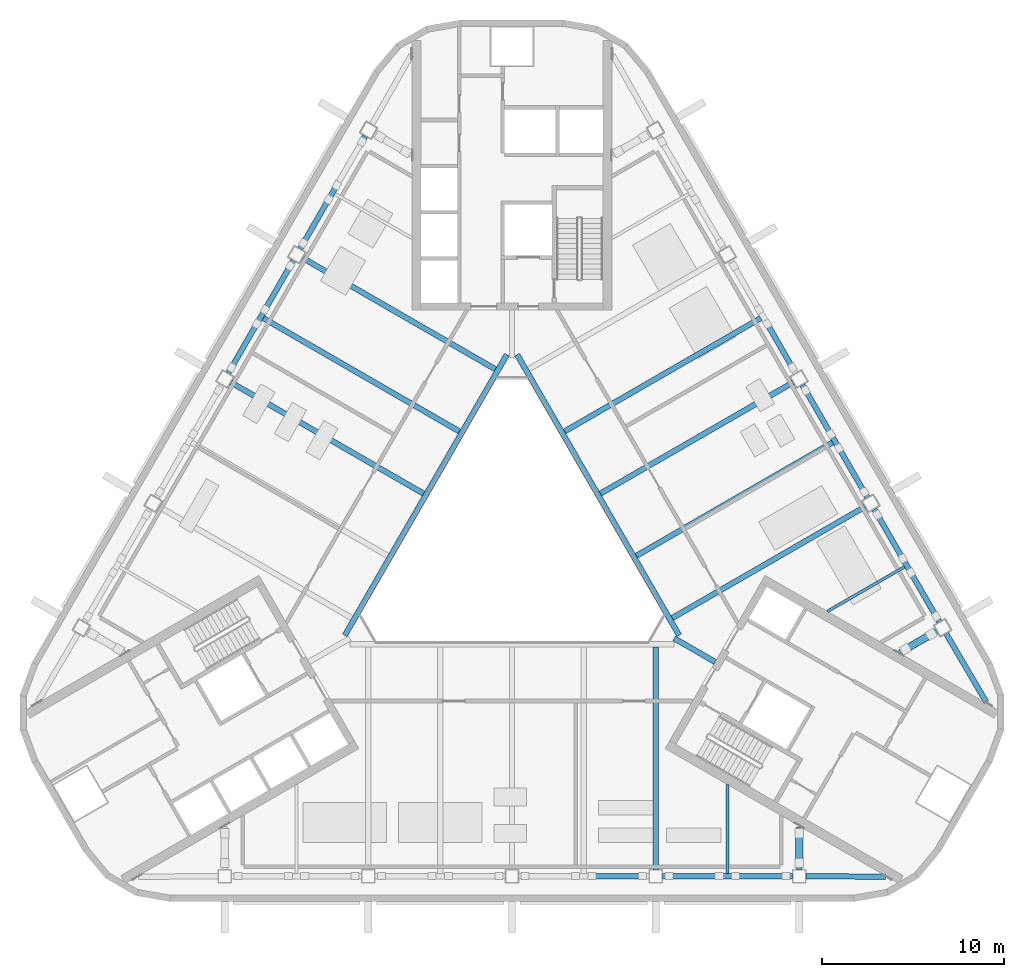
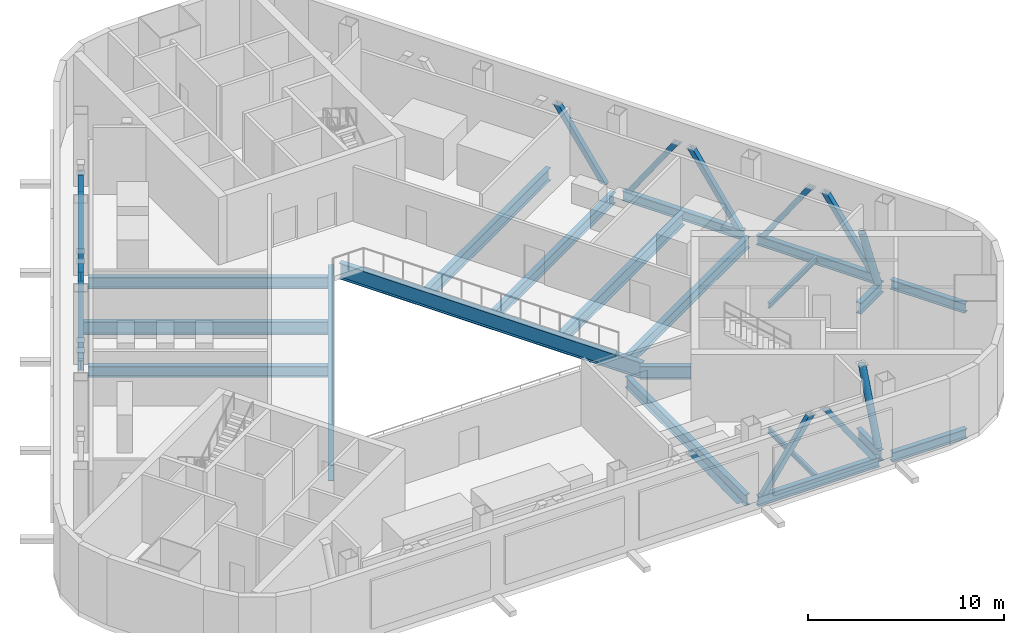
# One storey, part 2 of 15: 22 members, 13 beams.
"""IFC4 building model written with IfcOpenShell, lengths in metres."""

from ifc_helpers import new_model, si_unit, direction, frame, origin, origin_2d, place, context, subcontext, project, spatial, hollow_rectangle, hollow_circle, i_section, extrude, boolean, halfspace, material, material_profile, profile_set, type_object, element, save


model = new_model("IFC4")

# Units and contexts
model_context = context("Model", 3, precision=1e-05, world=origin(), true_north=direction((0.0, 1.0)))
body_context = subcontext(model_context, "Body", "Model", "MODEL_VIEW")
ifc_project = project(units=[si_unit("LENGTHUNIT", "METRE"), si_unit("AREAUNIT", "SQUARE_METRE"), si_unit("VOLUMEUNIT", "CUBIC_METRE"), si_unit("PLANEANGLEUNIT", "RADIAN"), si_unit("MASSUNIT", "GRAM", prefix="KILO")], contexts=[model_context])

# Site, building, storey
site_placement = place(None, origin())
site = spatial("IfcSite", under=ifc_project, at=site_placement, CompositionType="ELEMENT")
building_placement = place(site_placement, origin())
building = spatial("IfcBuilding", under=site, at=building_placement, Name="Apuvela Tower Hotel", CompositionType="ELEMENT")
storey_placement = place(building_placement, frame((0.0, 0.0, 237.699951171875)))
storey = spatial("IfcBuildingStorey", under=building, at=storey_placement, Name="L58 Plant", CompositionType="ELEMENT", Elevation=237.699951171875)

# Beams
ifc_material = material(Name="Steel S355", Category="steel")
ifc_material_profile_1 = material_profile(ifc_material, i_section(OverallWidth=0.300048828125, OverallDepth=0.68994140625, WebThickness=0.014404296875, FlangeThickness=0.027099609375, at=origin_2d()), Name="HE 700 A")
ifc_profile_set_1 = profile_set([ifc_material_profile_1], Name="Steel S355")
beam_type_1 = type_object("IfcBeamType", Name="STR-B floor beam HE 700 A", PredefinedType="BEAM", material=ifc_profile_set_1)
for number, where, z_axis, x_axis, name in (
    (1, (19.412841796875, 2.0859375, -0.64501953125), (-0.866025418325, -0.499999974815, 0.0), (0.499999974815, -0.866025418325, 0.0), "Floor beam B6 NE3"),
    (2, (15.462890625, 8.927490234375, -0.64501953125), (-0.866025418325, -0.499999974815, 0.0), (0.499999974815, -0.866025418325, 0.0), "Floor beam B6 NE5"),
):
    element("IfcBeam", number, at=place(storey_placement, frame(where, z_axis=z_axis, x_axis=x_axis)), inside=storey, type_object=beam_type_1, Name=name, PredefinedType="BEAM", context=body_context, shape_type="SweptSolid", body=[
        extrude(i_section(OverallWidth=0.300048828125, OverallDepth=0.68994140625, WebThickness=0.014404296875, FlangeThickness=0.027099609375, at=origin_2d()), origin(), (0.0, 0.0, 1.0), 12.23486328125),
    ])
beam_1_placement = place(storey_placement, frame((-11.512939453125, 15.76904296875, -0.64501953125), z_axis=(0.866030406821, -0.499991334387, 0.0), x_axis=(0.499991334387, 0.866030406821, 0.0)))
element("IfcBeam", 3, at=beam_1_placement, inside=storey, type_object=beam_type_1, Name="Floor beam B6 NW3", PredefinedType="BEAM", context=body_context, shape_type="SweptSolid", body=[
    extrude(i_section(OverallWidth=0.300048828125, OverallDepth=0.68994140625, WebThickness=0.014404296875, FlangeThickness=0.027099609375, at=origin_2d()), origin(), (0.0, 0.0, 1.0), 12.235107421875),
])
for number, where, z_axis, x_axis, name in (
    (4, (-15.462890625, 8.927490234375, -0.64501953125), (0.866025418325, -0.499999974815, 0.0), (0.499999974815, 0.866025418325, 0.0), "Floor beam B6 NW5"),
    (5, (7.89990234375, -17.85498046875, -0.64501953125), (0.0, 1.0, 0.0), (-1.0, 0.0, 0.0), "Floor beam B6 S7"),
):
    element("IfcBeam", number, at=place(storey_placement, frame(where, z_axis=z_axis, x_axis=x_axis)), inside=storey, type_object=beam_type_1, Name=name, PredefinedType="BEAM", context=body_context, shape_type="SweptSolid", body=[
        extrude(i_section(OverallWidth=0.300048828125, OverallDepth=0.68994140625, WebThickness=0.014404296875, FlangeThickness=0.027099609375, at=origin_2d()), origin(), (0.0, 0.0, 1.0), 12.23486328125),
    ])
ifc_material_profile_2 = material_profile(ifc_material, i_section(OverallWidth=0.300048828125, OverallDepth=0.7900390625, WebThickness=0.014892578125, FlangeThickness=0.028076171875, at=origin_2d()), Name="HE 800 A")
ifc_profile_set_2 = profile_set([ifc_material_profile_2], Name="Steel S355")
beam_type_2 = type_object("IfcBeamType", Name="STR-B floor beam HE 800 A", PredefinedType="BEAM", material=ifc_profile_set_2)
for number, where, z_axis, x_axis, name in (
    (6, (17.6328125, 5.619140625, -0.695068359375), (-0.866027987673, -0.499995524547, 0.0), (0.499995524547, -0.866027987673, 0.0), "Floor beam B5 NE4"),
    (7, (13.6826171875, 12.460693359375, -0.695068359375), (-0.866023089177, -0.500004008996, 0.0), (0.500004008996, -0.866023089177, 0.0), "Floor beam B5 NE6"),
    (8, (-13.6826171875, 12.460693359375, -0.695068359375), (0.866023089177, -0.500004008996, 0.0), (0.500004008996, 0.866023089177, 0.0), "Floor beam B5 NW4"),
):
    element("IfcBeam", number, at=place(storey_placement, frame(where, z_axis=z_axis, x_axis=x_axis)), inside=storey, type_object=beam_type_2, Name=name, PredefinedType="BEAM", context=body_context, shape_type="SweptSolid", body=[
        extrude(i_section(OverallWidth=0.300048828125, OverallDepth=0.7900390625, WebThickness=0.014892578125, FlangeThickness=0.028076171875, at=origin_2d()), origin(), (0.0, 0.0, 1.0), 12.4599609375),
    ])
ifc_material_profile_3 = material_profile(ifc_material, i_section(OverallWidth=0.159912109375, OverallDepth=0.330078125, WebThickness=0.007568359375, FlangeThickness=0.011474609375, at=origin_2d()), Name="IPE 330")
ifc_profile_set_3 = profile_set([ifc_material_profile_3], Name="Steel S355")
beam_type_3 = type_object("IfcBeamType", Name="STR-B floor beam IPE 330", PredefinedType="BEAM", material=ifc_profile_set_3)
beam_2_placement = place(storey_placement, frame((21.582763671875, -1.222412109375, -0.46484375), z_axis=(-0.866015056278, -0.500017921979, 0.0), x_axis=(0.500017921979, -0.866015056278, 0.0)))
element("IfcBeam", 9, at=beam_2_placement, inside=storey, type_object=beam_type_3, Name="Floor beam B1 NE2", PredefinedType="BEAM", context=body_context, shape_type="SweptSolid", body=[
    extrude(i_section(OverallWidth=0.159912109375, OverallDepth=0.330078125, WebThickness=0.007568359375, FlangeThickness=0.011474609375, at=origin_2d()), origin(), (0.0, 0.0, 1.0), 4.887451171875),
])
beam_3_placement = place(storey_placement, frame((11.85009765625, -18.080078125, -0.46484375), z_axis=(0.0, 1.0, 0.0), x_axis=(-1.0, 0.0, 0.0)))
element("IfcBeam", 10, at=beam_3_placement, inside=storey, type_object=beam_type_3, Name="Floor beam B1 S8", PredefinedType="BEAM", context=body_context, shape_type="SweptSolid", body=[
    extrude(i_section(OverallWidth=0.159912109375, OverallDepth=0.330078125, WebThickness=0.007568359375, FlangeThickness=0.011474609375, at=origin_2d()), origin(), (0.0, 0.0, 1.0), 4.8876953125),
])
ifc_material_profile_4 = material_profile(ifc_material, i_section(OverallWidth=0.300048828125, OverallDepth=1.0, WebThickness=0.01904296875, FlangeThickness=0.035888671875, at=origin_2d()), Name="HE 1000 B")
ifc_profile_set_4 = profile_set([ifc_material_profile_4], Name="Steel S355")
beam_type_4 = type_object("IfcBeamType", Name="STR-G atrium ring girder HE 1000 B", PredefinedType="BEAM", material=ifc_profile_set_4)
for number, where, z_axis, x_axis, name in (
    (11, (-0.27978515625, 10.455078125, -0.800048828125), (-0.500006541319, -0.866021627119, 0.0), (0.866021627119, -0.500006541319, 0.0), "Atrium ring girder G2 N-SW"),
    (12, (9.1943359375, -4.985107421875, -0.800048828125), (-0.500006541319, 0.866021627119, 0.0), (-0.866021627119, -0.500006541319, 0.0), "Atrium ring girder G2 SE-N"),
):
    element("IfcBeam", number, at=place(storey_placement, frame(where, z_axis=z_axis, x_axis=x_axis)), inside=storey, type_object=beam_type_4, Name=name, PredefinedType="BEAM", context=body_context, shape_type="SweptSolid", body=[
        extrude(i_section(OverallWidth=0.300048828125, OverallDepth=1.0, WebThickness=0.01904296875, FlangeThickness=0.035888671875, at=origin_2d()), origin(), (0.0, 0.0, 1.0), 17.828857421875),
    ])
ifc_material_profile_5 = material_profile(ifc_material, i_section(OverallWidth=0.300048828125, OverallDepth=0.800048828125, WebThickness=0.017578125, FlangeThickness=0.032958984375, at=origin_2d()), Name="HE 800 B")
ifc_profile_set_5 = profile_set([ifc_material_profile_5], Name="Steel S355")
beam_type_5 = type_object("IfcBeamType", Name="STR-GT core tie beam HE 800 B", PredefinedType="BEAM", material=ifc_profile_set_5)
beam_4_placement = place(storey_placement, frame((11.171630859375, -6.449951171875, -0.699951171875), z_axis=(-0.865997922154, 0.500047596559, 0.0), x_axis=(-0.500047596559, -0.865997922154, 0.0)))
element("IfcBeam", 13, at=beam_4_placement, inside=storey, type_object=beam_type_5, Name="Core tie beam GT1 SE", PredefinedType="BEAM", context=body_context, shape_type="SweptSolid", body=[
    extrude(i_section(OverallWidth=0.300048828125, OverallDepth=0.800048828125, WebThickness=0.017578125, FlangeThickness=0.032958984375, at=origin_2d()), origin(), (0.0, 0.0, 1.0), 2.599853515625),
])

# Members
ifc_material_profile_6 = material_profile(ifc_material, i_section(OverallWidth=0.300048828125, OverallDepth=0.60009765625, WebThickness=0.015380859375, FlangeThickness=0.030029296875, at=origin_2d()), Name="HE 600 B")
ifc_profile_set_6 = profile_set([ifc_material_profile_6], Name="Steel S355")
member_type_1 = type_object("IfcMemberType", Name="STR-T2 belt truss chord HE 600 B", PredefinedType="CHORD", material=ifc_profile_set_6)
member_1_placement = place(storey_placement, frame((8.27490234375, -18.22998046875, -0.599853515625), z_axis=(1.0, 0.0, 0.0), x_axis=(0.0, 1.0, 0.0)))
element("IfcMember", 14, at=member_1_placement, inside=storey, type_object=member_type_1, Name="Belt chord BT3 S4", PredefinedType="CHORD", context=body_context, shape_type="SweptSolid", body=[
    extrude(i_section(OverallWidth=0.300048828125, OverallDepth=0.60009765625, WebThickness=0.015380859375, FlangeThickness=0.030029296875, at=origin_2d()), origin(), (0.0, 0.0, 1.0), 7.150146484375),
])
member_2_placement = place(storey_placement, frame((23.5, -4.243408203125, -0.599853515625), z_axis=(-0.500006209673, 0.866021818598, 0.0), x_axis=(-0.866021818598, -0.500006209673, 0.0)))
element("IfcMember", 15, at=member_2_placement, inside=storey, type_object=member_type_1, Name="Belt chord BT3 NE1", PredefinedType="CHORD", context=body_context, shape_type="SweptSolid", body=[
    extrude(i_section(OverallWidth=0.300048828125, OverallDepth=0.60009765625, WebThickness=0.015380859375, FlangeThickness=0.030029296875, at=origin_2d()), origin(), (0.0, 0.0, 1.0), 7.14990234375),
])
member_3_placement = place(storey_placement, frame((19.550048828125, 2.59814453125, -0.599853515625), z_axis=(-0.499991424076, 0.86603035504, 0.0), x_axis=(-0.86603035504, -0.499991424076, 0.0)))
element("IfcMember", 16, at=member_3_placement, inside=storey, type_object=member_type_1, Name="Belt chord BT3 NE2", PredefinedType="CHORD", context=body_context, shape_type="SweptSolid", body=[
    extrude(i_section(OverallWidth=0.300048828125, OverallDepth=0.60009765625, WebThickness=0.015380859375, FlangeThickness=0.030029296875, at=origin_2d()), origin(), (0.0, 0.0, 1.0), 7.150146484375),
])
member_4_placement = place(storey_placement, frame((-8.0751953125, 22.473388671875, -0.599853515625), z_axis=(-0.500006209673, -0.866021818598, 0.0), x_axis=(0.866021818598, -0.500006209673, 0.0)))
element("IfcMember", 17, at=member_4_placement, inside=storey, type_object=member_type_1, Name="Belt chord BT3 NW1", PredefinedType="CHORD", context=body_context, shape_type="SweptSolid", body=[
    extrude(i_section(OverallWidth=0.300048828125, OverallDepth=0.60009765625, WebThickness=0.015380859375, FlangeThickness=0.030029296875, at=origin_2d()), origin(), (0.0, 0.0, 1.0), 7.14990234375),
])
member_5_placement = place(storey_placement, frame((-12.025146484375, 15.6318359375, -0.599853515625), z_axis=(-0.499991424076, -0.86603035504, 0.0), x_axis=(0.86603035504, -0.499991424076, 0.0)))
element("IfcMember", 18, at=member_5_placement, inside=storey, type_object=member_type_1, Name="Belt chord BT3 NW2", PredefinedType="CHORD", context=body_context, shape_type="SweptSolid", body=[
    extrude(i_section(OverallWidth=0.300048828125, OverallDepth=0.60009765625, WebThickness=0.015380859375, FlangeThickness=0.030029296875, at=origin_2d()), origin(), (0.0, 0.0, 1.0), 7.150146484375),
])
member_6_placement = place(storey_placement, frame((16.175048828125, -18.232666015625, -0.599853515625), z_axis=(0.999976463079, -0.006860997655, 0.0), x_axis=(0.006860997655, 0.999976463079, 0.0)))
element("IfcMember", 19, at=member_6_placement, inside=storey, type_object=member_type_1, Name="Belt chord BT3 S5-SE", PredefinedType="CHORD", context=body_context, shape_type="SweptSolid", body=[
    extrude(i_section(OverallWidth=0.300048828125, OverallDepth=0.60009765625, WebThickness=0.015380859375, FlangeThickness=0.030029296875, at=origin_2d()), origin(), (0.0, 0.0, 1.0), 4.376708984375),
])
member_7_placement = place(storey_placement, frame((23.87744140625, -4.8916015625, -0.599853515625), z_axis=(0.505922761076, -0.862578784706, 0.0), x_axis=(0.862578784706, 0.505922761076, 0.0)))
element("IfcMember", 20, at=member_7_placement, inside=storey, type_object=member_type_1, Name="Belt chord BT3 NE1-SE", PredefinedType="CHORD", context=body_context, shape_type="SweptSolid", body=[
    extrude(i_section(OverallWidth=0.300048828125, OverallDepth=0.60009765625, WebThickness=0.015380859375, FlangeThickness=0.030029296875, at=origin_2d()), origin(), (0.0, 0.0, 1.0), 4.376953125),
])
ifc_material_profile_7 = material_profile(ifc_material, hollow_rectangle(XDim=0.300048828125, YDim=0.300048828125, WallThickness=0.012451171875, at=origin_2d()), Name="SHS 300x300x12.5")
ifc_profile_set_7 = profile_set([ifc_material_profile_7], Name="Steel S355")
member_type_2 = type_object("IfcMemberType", Name="STR-T2 belt truss diagonal SHS 300x300x12.5", PredefinedType="BRACE", material=ifc_profile_set_7)
member_8_placement = place(storey_placement, frame((7.175048828125, -18.22998046875, -0.300048828125), z_axis=(-0.569069392798, 0.0, 0.822289502657), x_axis=(0.822289502657, 0.0, 0.569069392798)))
solid_1 = boolean("DIFFERENCE", boolean("DIFFERENCE", extrude(hollow_rectangle(XDim=0.300048828125, YDim=0.300048828125, WallThickness=0.012451171875, at=origin_2d()), frame((0.0, 0.0, -0.223876953125)), (0.0, 0.0, 1.0), 5.32421875), halfspace(frame((0.0, 0.0, 0.0244140625), z_axis=(0.569069392798, 0.0, 0.822289502657), x_axis=(0.822289502657, 0.0, -0.569069392798)), True)), halfspace(frame((0.0, 0.0, 4.8525390625), z_axis=(0.569069392798, 0.0, 0.822289502657), x_axis=(0.822289502657, 0.0, -0.569069392798)), False))
element("IfcMember", 21, at=member_8_placement, inside=storey, type_object=member_type_2, Name="Belt truss diagonal BR3 S3", PredefinedType="BRACE", context=body_context, shape_type="SweptSolid", body=[
    boolean("UNION", boolean("DIFFERENCE", boolean("DIFFERENCE", extrude(hollow_rectangle(XDim=0.300048828125, YDim=0.300048828125, WallThickness=0.012451171875, at=origin_2d()), origin(), (0.0, 0.0, 1.0), 4.876708984375), halfspace(frame((0.0, 0.0, 0.0244140625), z_axis=(0.569069392798, 0.0, 0.822289502657), x_axis=(0.822289502657, 0.0, -0.569069392798)), True)), halfspace(frame((0.0, 0.0, 4.8525390625), z_axis=(0.569069392798, 0.0, 0.822289502657), x_axis=(0.822289502657, 0.0, -0.569069392798)), False)), solid_1),
])
member_9_placement = place(storey_placement, frame((8.625, -18.22998046875, -0.300048828125), z_axis=(0.569035540557, 0.0, 0.822312929232), x_axis=(-0.822312929232, 0.0, 0.569035540557)))
solid_2 = boolean("DIFFERENCE", boolean("DIFFERENCE", extrude(hollow_rectangle(XDim=0.300048828125, YDim=0.300048828125, WallThickness=0.012451171875, at=origin_2d()), frame((0.0, 0.0, -0.223876953125)), (0.0, 0.0, 1.0), 5.32421875), halfspace(frame((0.0, 0.0, 0.0244140625), z_axis=(0.569035540557, 0.0, 0.822312929232), x_axis=(0.822312929232, 0.0, -0.569035540557)), True)), halfspace(frame((0.0, 0.0, 4.852294921875), z_axis=(0.569035540557, 0.0, 0.822312929232), x_axis=(0.822312929232, 0.0, -0.569035540557)), False))
element("IfcMember", 22, at=member_9_placement, inside=storey, type_object=member_type_2, Name="Belt truss diagonal BR3 S4", PredefinedType="BRACE", context=body_context, shape_type="SweptSolid", body=[
    boolean("UNION", boolean("DIFFERENCE", boolean("DIFFERENCE", extrude(hollow_rectangle(XDim=0.300048828125, YDim=0.300048828125, WallThickness=0.012451171875, at=origin_2d()), origin(), (0.0, 0.0, 1.0), 4.87646484375), halfspace(frame((0.0, 0.0, 0.0244140625), z_axis=(0.569035540557, 0.0, 0.822312929232), x_axis=(0.822312929232, 0.0, -0.569035540557)), True)), halfspace(frame((0.0, 0.0, 4.852294921875), z_axis=(0.569035540557, 0.0, 0.822312929232), x_axis=(0.822312929232, 0.0, -0.569035540557)), False)), solid_2),
])
member_10_placement = place(storey_placement, frame((15.074951171875, -18.22998046875, -0.300048828125), z_axis=(-0.569035540557, 0.0, 0.822312929232), x_axis=(0.822312929232, 0.0, 0.569035540557)))
solid_3 = boolean("DIFFERENCE", boolean("DIFFERENCE", extrude(hollow_rectangle(XDim=0.300048828125, YDim=0.300048828125, WallThickness=0.012451171875, at=origin_2d()), frame((0.0, 0.0, -0.223876953125)), (0.0, 0.0, 1.0), 5.32421875), halfspace(frame((0.0, 0.0, 0.0244140625), z_axis=(0.569035540557, 0.0, 0.822312929232), x_axis=(0.822312929232, 0.0, -0.569035540557)), True)), halfspace(frame((0.0, 0.0, 4.852294921875), z_axis=(0.569035540557, 0.0, 0.822312929232), x_axis=(0.822312929232, 0.0, -0.569035540557)), False))
element("IfcMember", 23, at=member_10_placement, inside=storey, type_object=member_type_2, Name="Belt truss diagonal BR3 S4", PredefinedType="BRACE", context=body_context, shape_type="SweptSolid", body=[
    boolean("UNION", boolean("DIFFERENCE", boolean("DIFFERENCE", extrude(hollow_rectangle(XDim=0.300048828125, YDim=0.300048828125, WallThickness=0.012451171875, at=origin_2d()), origin(), (0.0, 0.0, 1.0), 4.87646484375), halfspace(frame((0.0, 0.0, 0.0244140625), z_axis=(0.569035540557, 0.0, 0.822312929232), x_axis=(0.822312929232, 0.0, -0.569035540557)), True)), halfspace(frame((0.0, 0.0, 4.852294921875), z_axis=(0.569035540557, 0.0, 0.822312929232), x_axis=(0.822312929232, 0.0, -0.569035540557)), False)), solid_3),
])
member_11_placement = place(storey_placement, frame((23.3251953125, -3.940185546875, -0.300048828125), z_axis=(-0.284565499444, 0.492782936493, 0.82230618022), x_axis=(0.411215014995, -0.71210228582, 0.569045293428)))
solid_4 = boolean("DIFFERENCE", boolean("DIFFERENCE", extrude(hollow_rectangle(XDim=0.300048828125, YDim=0.300048828125, WallThickness=0.012451171875, at=origin_2d()), frame((0.0, 0.0, -0.223876953125)), (0.0, 0.0, 1.0), 5.32421875), halfspace(frame((0.0, 0.0, 0.0244140625), z_axis=(0.569045293428, 0.0, 0.82230618022), x_axis=(0.82230618022, 0.0, -0.569045293428)), True)), halfspace(frame((0.0, 0.0, 4.852294921875), z_axis=(0.569045293428, 0.0, 0.82230618022), x_axis=(0.82230618022, 0.0, -0.569045293428)), False))
element("IfcMember", 24, at=member_11_placement, inside=storey, type_object=member_type_2, Name="Belt truss diagonal BR3 NE1", PredefinedType="BRACE", context=body_context, shape_type="SweptSolid", body=[
    boolean("UNION", boolean("DIFFERENCE", boolean("DIFFERENCE", extrude(hollow_rectangle(XDim=0.300048828125, YDim=0.300048828125, WallThickness=0.012451171875, at=origin_2d()), origin(), (0.0, 0.0, 1.0), 4.87646484375), halfspace(frame((0.0, 0.0, 0.0244140625), z_axis=(0.569045293428, 0.0, 0.82230618022), x_axis=(0.82230618022, 0.0, -0.569045293428)), True)), halfspace(frame((0.0, 0.0, 4.852294921875), z_axis=(0.569045293428, 0.0, 0.82230618022), x_axis=(0.82230618022, 0.0, -0.569045293428)), False)), solid_4),
])
member_12_placement = place(storey_placement, frame((20.10009765625, 1.6455078125, -0.300048828125), z_axis=(0.284512468611, -0.492827862222, 0.822297606358), x_axis=(-0.411125144091, 0.712144275635, 0.569057682996)))
solid_5 = boolean("DIFFERENCE", boolean("DIFFERENCE", extrude(hollow_rectangle(XDim=0.300048828125, YDim=0.300048828125, WallThickness=0.012451171875, at=origin_2d()), frame((0.0, 0.0, -0.223876953125)), (0.0, 0.0, 1.0), 5.32421875), halfspace(frame((0.0, 0.0, 0.0244140625), z_axis=(0.569057682996, 0.0, 0.822297606358), x_axis=(0.822297606358, 0.0, -0.569057682996)), True)), halfspace(frame((0.0, 0.0, 4.852294921875), z_axis=(0.569057682996, 0.0, 0.822297606358), x_axis=(0.822297606358, 0.0, -0.569057682996)), False))
element("IfcMember", 25, at=member_12_placement, inside=storey, type_object=member_type_2, Name="Belt truss diagonal BR3 NE1", PredefinedType="BRACE", context=body_context, shape_type="SweptSolid", body=[
    boolean("UNION", boolean("DIFFERENCE", boolean("DIFFERENCE", extrude(hollow_rectangle(XDim=0.300048828125, YDim=0.300048828125, WallThickness=0.012451171875, at=origin_2d()), origin(), (0.0, 0.0, 1.0), 4.876708984375), halfspace(frame((0.0, 0.0, 0.0244140625), z_axis=(0.569057682996, 0.0, 0.822297606358), x_axis=(0.822297606358, 0.0, -0.569057682996)), True)), halfspace(frame((0.0, 0.0, 4.852294921875), z_axis=(0.569057682996, 0.0, 0.822297606358), x_axis=(0.822297606358, 0.0, -0.569057682996)), False)), solid_5),
])
member_13_placement = place(storey_placement, frame((19.375, 2.9013671875, -0.300048828125), z_axis=(-0.284519488241, 0.492789956494, 0.822317894485), x_axis=(0.411166614559, -0.712143759828, 0.569028365207)))
solid_6 = boolean("DIFFERENCE", boolean("DIFFERENCE", extrude(hollow_rectangle(XDim=0.300048828125, YDim=0.300048828125, WallThickness=0.012451171875, at=origin_2d()), frame((0.0, 0.0, -0.223876953125)), (0.0, 0.0, 1.0), 5.323974609375), halfspace(frame((0.0, 0.0, 0.0244140625), z_axis=(0.569028365207, 0.0, 0.822317894485), x_axis=(0.822317894485, 0.0, -0.569028365207)), True)), halfspace(frame((0.0, 0.0, 4.852294921875), z_axis=(0.569028365207, 0.0, 0.822317894485), x_axis=(0.822317894485, 0.0, -0.569028365207)), False))
element("IfcMember", 26, at=member_13_placement, inside=storey, type_object=member_type_2, Name="Belt truss diagonal BR3 NE2", PredefinedType="BRACE", context=body_context, shape_type="SweptSolid", body=[
    boolean("UNION", boolean("DIFFERENCE", boolean("DIFFERENCE", extrude(hollow_rectangle(XDim=0.300048828125, YDim=0.300048828125, WallThickness=0.012451171875, at=origin_2d()), origin(), (0.0, 0.0, 1.0), 4.87646484375), halfspace(frame((0.0, 0.0, 0.0244140625), z_axis=(0.569028365207, 0.0, 0.822317894485), x_axis=(0.822317894485, 0.0, -0.569028365207)), True)), halfspace(frame((0.0, 0.0, 4.852294921875), z_axis=(0.569028365207, 0.0, 0.822317894485), x_axis=(0.822317894485, 0.0, -0.569028365207)), False)), solid_6),
])
member_14_placement = place(storey_placement, frame((16.150146484375, 8.487060546875, -0.300048828125), z_axis=(0.284519488241, -0.492789956494, 0.822317894485), x_axis=(-0.411166614559, 0.712143759828, 0.569028365207)))
solid_7 = boolean("DIFFERENCE", boolean("DIFFERENCE", extrude(hollow_rectangle(XDim=0.300048828125, YDim=0.300048828125, WallThickness=0.012451171875, at=origin_2d()), frame((0.0, 0.0, -0.223876953125)), (0.0, 0.0, 1.0), 5.323974609375), halfspace(frame((0.0, 0.0, 0.0244140625), z_axis=(0.569028365207, 0.0, 0.822317894485), x_axis=(0.822317894485, 0.0, -0.569028365207)), True)), halfspace(frame((0.0, 0.0, 4.852294921875), z_axis=(0.569028365207, 0.0, 0.822317894485), x_axis=(0.822317894485, 0.0, -0.569028365207)), False))
element("IfcMember", 27, at=member_14_placement, inside=storey, type_object=member_type_2, Name="Belt truss diagonal BR3 NE2", PredefinedType="BRACE", context=body_context, shape_type="SweptSolid", body=[
    boolean("UNION", boolean("DIFFERENCE", boolean("DIFFERENCE", extrude(hollow_rectangle(XDim=0.300048828125, YDim=0.300048828125, WallThickness=0.012451171875, at=origin_2d()), origin(), (0.0, 0.0, 1.0), 4.87646484375), halfspace(frame((0.0, 0.0, 0.0244140625), z_axis=(0.569028365207, 0.0, 0.822317894485), x_axis=(0.822317894485, 0.0, -0.569028365207)), True)), halfspace(frame((0.0, 0.0, 4.852294921875), z_axis=(0.569028365207, 0.0, 0.822317894485), x_axis=(0.822317894485, 0.0, -0.569028365207)), False)), solid_7),
])
member_15_placement = place(storey_placement, frame((15.425048828125, 9.742919921875, -0.300048828125), z_axis=(-0.284519488241, 0.492789956494, 0.822317894485), x_axis=(0.411166614559, -0.712143759828, 0.569028365207)))
solid_8 = boolean("DIFFERENCE", boolean("DIFFERENCE", extrude(hollow_rectangle(XDim=0.300048828125, YDim=0.300048828125, WallThickness=0.012451171875, at=origin_2d()), frame((0.0, 0.0, -0.223876953125)), (0.0, 0.0, 1.0), 5.323974609375), halfspace(frame((0.0, 0.0, 0.0244140625), z_axis=(0.569028365207, 0.0, 0.822317894485), x_axis=(0.822317894485, 0.0, -0.569028365207)), True)), halfspace(frame((0.0, 0.0, 4.852294921875), z_axis=(0.569028365207, 0.0, 0.822317894485), x_axis=(0.822317894485, 0.0, -0.569028365207)), False))
element("IfcMember", 28, at=member_15_placement, inside=storey, type_object=member_type_2, Name="Belt truss diagonal BR3 NE3", PredefinedType="BRACE", context=body_context, shape_type="SweptSolid", body=[
    boolean("UNION", boolean("DIFFERENCE", boolean("DIFFERENCE", extrude(hollow_rectangle(XDim=0.300048828125, YDim=0.300048828125, WallThickness=0.012451171875, at=origin_2d()), origin(), (0.0, 0.0, 1.0), 4.87646484375), halfspace(frame((0.0, 0.0, 0.0244140625), z_axis=(0.569028365207, 0.0, 0.822317894485), x_axis=(0.822317894485, 0.0, -0.569028365207)), True)), halfspace(frame((0.0, 0.0, 4.852294921875), z_axis=(0.569028365207, 0.0, 0.822317894485), x_axis=(0.822317894485, 0.0, -0.569028365207)), False)), solid_8),
])
member_16_placement = place(storey_placement, frame((-11.47509765625, 16.58447265625, -0.300048828125), z_axis=(0.284512468611, 0.492827862222, 0.822297606358), x_axis=(-0.411125144091, -0.712144275635, 0.569057682996)))
solid_9 = boolean("DIFFERENCE", boolean("DIFFERENCE", extrude(hollow_rectangle(XDim=0.300048828125, YDim=0.300048828125, WallThickness=0.012451171875, at=origin_2d()), frame((0.0, 0.0, -0.223876953125)), (0.0, 0.0, 1.0), 5.32421875), halfspace(frame((0.0, 0.0, 0.0244140625), z_axis=(0.569057682996, 0.0, 0.822297606358), x_axis=(0.822297606358, 0.0, -0.569057682996)), True)), halfspace(frame((0.0, 0.0, 4.852294921875), z_axis=(0.569057682996, 0.0, 0.822297606358), x_axis=(0.822297606358, 0.0, -0.569057682996)), False))
element("IfcMember", 29, at=member_16_placement, inside=storey, type_object=member_type_2, Name="Belt truss diagonal BR3 NW1", PredefinedType="BRACE", context=body_context, shape_type="SweptSolid", body=[
    boolean("UNION", boolean("DIFFERENCE", boolean("DIFFERENCE", extrude(hollow_rectangle(XDim=0.300048828125, YDim=0.300048828125, WallThickness=0.012451171875, at=origin_2d()), origin(), (0.0, 0.0, 1.0), 4.876708984375), halfspace(frame((0.0, 0.0, 0.0244140625), z_axis=(0.569057682996, 0.0, 0.822297606358), x_axis=(0.822297606358, 0.0, -0.569057682996)), True)), halfspace(frame((0.0, 0.0, 4.852294921875), z_axis=(0.569057682996, 0.0, 0.822297606358), x_axis=(0.822297606358, 0.0, -0.569057682996)), False)), solid_9),
])
member_17_placement = place(storey_placement, frame((-12.2001953125, 15.32861328125, -0.300048828125), z_axis=(-0.284519488241, -0.492789956494, 0.822317894485), x_axis=(0.411166614559, 0.712143759828, 0.569028365207)))
solid_10 = boolean("DIFFERENCE", boolean("DIFFERENCE", extrude(hollow_rectangle(XDim=0.300048828125, YDim=0.300048828125, WallThickness=0.012451171875, at=origin_2d()), frame((0.0, 0.0, -0.223876953125)), (0.0, 0.0, 1.0), 5.323974609375), halfspace(frame((0.0, 0.0, 0.0244140625), z_axis=(0.569028365207, 0.0, 0.822317894485), x_axis=(0.822317894485, 0.0, -0.569028365207)), True)), halfspace(frame((0.0, 0.0, 4.852294921875), z_axis=(0.569028365207, 0.0, 0.822317894485), x_axis=(0.822317894485, 0.0, -0.569028365207)), False))
element("IfcMember", 30, at=member_17_placement, inside=storey, type_object=member_type_2, Name="Belt truss diagonal BR3 NW2", PredefinedType="BRACE", context=body_context, shape_type="SweptSolid", body=[
    boolean("UNION", boolean("DIFFERENCE", boolean("DIFFERENCE", extrude(hollow_rectangle(XDim=0.300048828125, YDim=0.300048828125, WallThickness=0.012451171875, at=origin_2d()), origin(), (0.0, 0.0, 1.0), 4.87646484375), halfspace(frame((0.0, 0.0, 0.0244140625), z_axis=(0.569028365207, 0.0, 0.822317894485), x_axis=(0.822317894485, 0.0, -0.569028365207)), True)), halfspace(frame((0.0, 0.0, 4.852294921875), z_axis=(0.569028365207, 0.0, 0.822317894485), x_axis=(0.822317894485, 0.0, -0.569028365207)), False)), solid_10),
])
member_18_placement = place(storey_placement, frame((-15.425048828125, 9.742919921875, -0.300048828125), z_axis=(0.284519488241, 0.492789956494, 0.822317894485), x_axis=(-0.411166614559, -0.712143759828, 0.569028365207)))
solid_11 = boolean("DIFFERENCE", boolean("DIFFERENCE", extrude(hollow_rectangle(XDim=0.300048828125, YDim=0.300048828125, WallThickness=0.012451171875, at=origin_2d()), frame((0.0, 0.0, -0.223876953125)), (0.0, 0.0, 1.0), 5.323974609375), halfspace(frame((0.0, 0.0, 0.0244140625), z_axis=(0.569028365207, 0.0, 0.822317894485), x_axis=(0.822317894485, 0.0, -0.569028365207)), True)), halfspace(frame((0.0, 0.0, 4.852294921875), z_axis=(0.569028365207, 0.0, 0.822317894485), x_axis=(0.822317894485, 0.0, -0.569028365207)), False))
element("IfcMember", 31, at=member_18_placement, inside=storey, type_object=member_type_2, Name="Belt truss diagonal BR3 NW2", PredefinedType="BRACE", context=body_context, shape_type="SweptSolid", body=[
    boolean("UNION", boolean("DIFFERENCE", boolean("DIFFERENCE", extrude(hollow_rectangle(XDim=0.300048828125, YDim=0.300048828125, WallThickness=0.012451171875, at=origin_2d()), origin(), (0.0, 0.0, 1.0), 4.87646484375), halfspace(frame((0.0, 0.0, 0.0244140625), z_axis=(0.569028365207, 0.0, 0.822317894485), x_axis=(0.822317894485, 0.0, -0.569028365207)), True)), halfspace(frame((0.0, 0.0, 4.852294921875), z_axis=(0.569028365207, 0.0, 0.822317894485), x_axis=(0.822317894485, 0.0, -0.569028365207)), False)), solid_11),
])
ifc_material_profile_8 = material_profile(ifc_material, i_section(OverallWidth=0.300048828125, OverallDepth=0.699951171875, WebThickness=0.01708984375, FlangeThickness=0.031982421875, at=origin_2d()), Name="HE 700 B")
ifc_profile_set_8 = profile_set([ifc_material_profile_8], Name="Steel S355")
member_type_3 = type_object("IfcMemberType", Name="STR-T2 outrigger truss chord HE 700 B", PredefinedType="CHORD", material=ifc_profile_set_8)
for number, where, z_axis, x_axis, name in (
    (32, (23.36279296875, -4.755615234375, -0.64990234375), (-0.865995845958, -0.500051192162, 0.0), (0.500051192162, -0.865995845958, 0.0), "Outrigger chord OC3 NE1"),
    (33, (15.800048828125, -17.85498046875, -0.64990234375), (0.0, 1.0, 0.0), (-1.0, 0.0, 0.0), "Outrigger chord OC3 S5"),
):
    element("IfcMember", number, at=place(storey_placement, frame(where, z_axis=z_axis, x_axis=x_axis)), inside=storey, type_object=member_type_3, Name=name, PredefinedType="CHORD", context=body_context, shape_type="SweptSolid", body=[
        extrude(i_section(OverallWidth=0.300048828125, OverallDepth=0.699951171875, WebThickness=0.01708984375, FlangeThickness=0.031982421875, at=origin_2d()), origin(), (0.0, 0.0, 1.0), 2.335693359375),
    ])
ifc_material_profile_9 = material_profile(ifc_material, hollow_circle(Radius=0.203125, WallThickness=0.01611328125, at=origin_2d()), Name="CHS 406.4x16")
ifc_profile_set_9 = profile_set([ifc_material_profile_9], Name="Steel S355")
member_type_4 = type_object("IfcMemberType", Name="STR-T2 outrigger truss diagonal CHS 406.4x16", PredefinedType="BRACE", material=ifc_profile_set_9)
member_19_placement = place(storey_placement, frame((23.059814453125, -4.9306640625, -0.300048828125), z_axis=(-0.316270135675, -0.182578830693, 0.930934031961), x_axis=(0.806234395018, 0.465429126885, 0.365187387703)))
solid_12 = boolean("DIFFERENCE", boolean("DIFFERENCE", extrude(hollow_circle(Radius=0.203125, WallThickness=0.01611328125, at=origin_2d()), frame((0.0, 0.0, -0.19970703125)), (0.0, 0.0, 1.0), 4.87890625), halfspace(frame((0.0, 0.0, 0.021484375), z_axis=(0.365187387703, 0.0, 0.930934031961), x_axis=(0.930934031961, 0.0, -0.365187387703)), True)), halfspace(frame((0.0, 0.0, 4.4580078125), z_axis=(0.365187387703, 0.0, 0.930934031961), x_axis=(0.930934031961, 0.0, -0.365187387703)), False))
element("IfcMember", 34, at=member_19_placement, inside=storey, type_object=member_type_4, Name="Outrigger diagonal OD3 NE1", PredefinedType="BRACE", context=body_context, shape_type="SweptSolid", body=[
    boolean("UNION", boolean("DIFFERENCE", boolean("DIFFERENCE", extrude(hollow_circle(Radius=0.203125, WallThickness=0.01611328125, at=origin_2d()), origin(), (0.0, 0.0, 1.0), 4.4794921875), halfspace(frame((0.0, 0.0, 0.021484375), z_axis=(0.365187387703, 0.0, 0.930934031961), x_axis=(0.930934031961, 0.0, -0.365187387703)), True)), halfspace(frame((0.0, 0.0, 4.4580078125), z_axis=(0.365187387703, 0.0, 0.930934031961), x_axis=(0.930934031961, 0.0, -0.365187387703)), False)), solid_12),
])
member_20_placement = place(storey_placement, frame((15.800048828125, -17.5048828125, -0.300048828125), z_axis=(0.0, 0.365161625323, 0.930944137632), x_axis=(0.0, -0.930944137632, 0.365161625323)))
solid_13 = boolean("DIFFERENCE", boolean("DIFFERENCE", extrude(hollow_circle(Radius=0.203125, WallThickness=0.01611328125, at=origin_2d()), frame((0.0, 0.0, -0.19970703125)), (0.0, 0.0, 1.0), 4.87890625), halfspace(frame((0.0, 0.0, 0.021484375), z_axis=(0.365161625323, 0.0, 0.930944137632), x_axis=(0.930944137632, 0.0, -0.365161625323)), True)), halfspace(frame((0.0, 0.0, 4.4580078125), z_axis=(0.365161625323, 0.0, 0.930944137632), x_axis=(0.930944137632, 0.0, -0.365161625323)), False))
element("IfcMember", 35, at=member_20_placement, inside=storey, type_object=member_type_4, Name="Outrigger diagonal OD3 S5", PredefinedType="BRACE", context=body_context, shape_type="SweptSolid", body=[
    boolean("UNION", boolean("DIFFERENCE", boolean("DIFFERENCE", extrude(hollow_circle(Radius=0.203125, WallThickness=0.01611328125, at=origin_2d()), origin(), (0.0, 0.0, 1.0), 4.4794921875), halfspace(frame((0.0, 0.0, 0.021484375), z_axis=(0.365161625323, 0.0, 0.930944137632), x_axis=(0.930944137632, 0.0, -0.365161625323)), True)), halfspace(frame((0.0, 0.0, 4.4580078125), z_axis=(0.365161625323, 0.0, 0.930944137632), x_axis=(0.930944137632, 0.0, -0.365161625323)), False)), solid_13),
])

save(model, "model.ifc")
